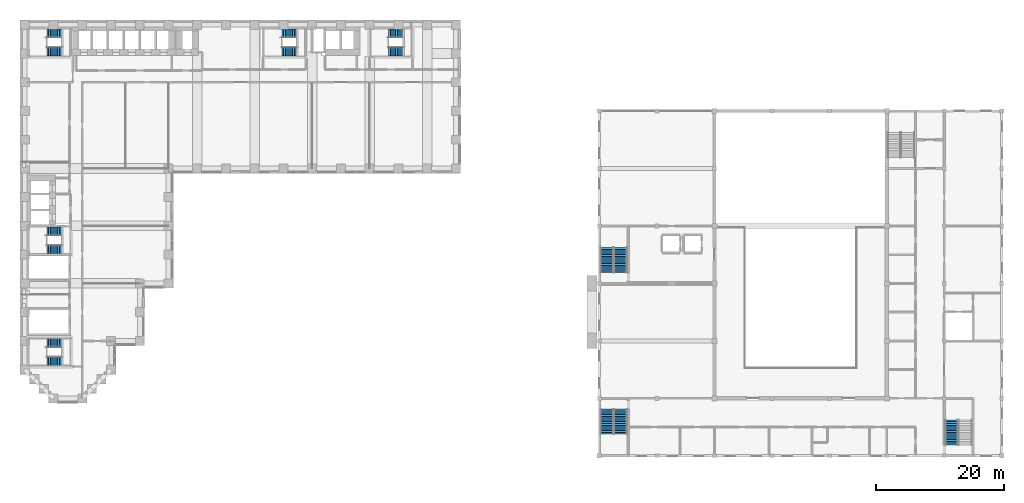
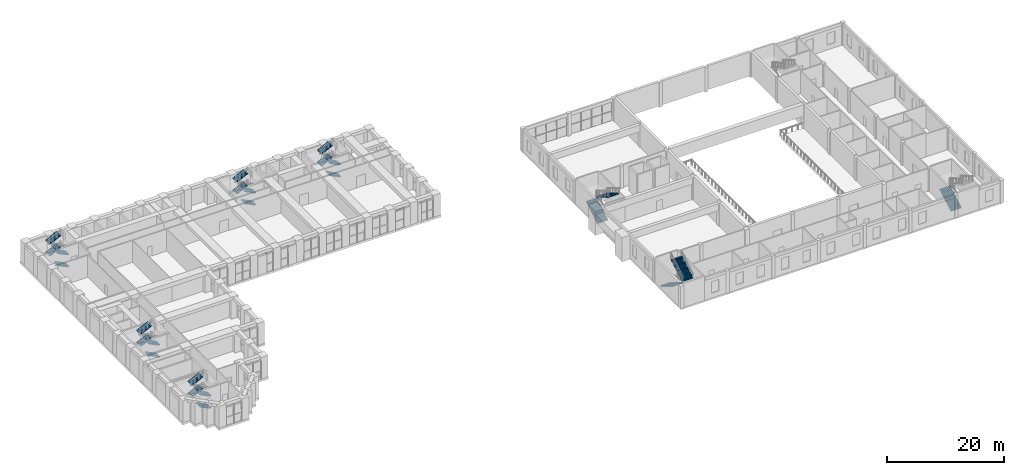
# One storey, part 27 of 34: 25 stair flights, 8 elements without a shape of their own.
"""IFC4 building model written with IfcOpenShell, lengths in metres."""

from ifc_helpers import new_model, si_unit, direction, frame, origin, place, context, subcontext, project, spatial, polyline, outline, extrude, material, layer, layer_set, type_object, element, aggregate, save


model = new_model("IFC4")

# Units and contexts
model_context = context("Model", 3, precision=1e-05, world=origin(), true_north=direction((0.0, 1.0)))
body_context = subcontext(model_context, "Body", "Model", "MODEL_VIEW")
ifc_project = project(units=[si_unit("LENGTHUNIT", "METRE"), si_unit("AREAUNIT", "SQUARE_METRE"), si_unit("VOLUMEUNIT", "CUBIC_METRE"), si_unit("PLANEANGLEUNIT", "RADIAN"), si_unit("MASSUNIT", "GRAM", prefix="KILO")], contexts=[model_context])

# Site, building, storey
site_placement = place(None, origin())
site = spatial("IfcSite", under=ifc_project, at=site_placement, CompositionType="ELEMENT")
building_placement = place(site_placement, origin())
building = spatial("IfcBuilding", under=site, at=building_placement, Name="Firuza Court", CompositionType="ELEMENT")
storey_placement = place(building_placement, frame((0.0, 0.0, 19.0)))
storey = spatial("IfcBuildingStorey", under=building, at=storey_placement, Name="L03", CompositionType="ELEMENT", Elevation=19.0)

# Stair, stair flights
ifc_material_1 = material(Name="Concrete C40/50 precast", Category="concrete")
stair_type_1 = type_object("IfcStairType", Name="Stair 1350 x 5000 4 flights", PredefinedType="QUARTER_TURN_STAIR", material=ifc_material_1)
stair_1_placement = place(storey_placement, origin())
stair_1 = element("IfcStair", 1, at=stair_1_placement, inside=storey, type_object=stair_type_1, Name="Stair 1 L03", PredefinedType="QUARTER_TURN_STAIR")
ifc_material_2 = material(Name="Concrete C40/50 precast", Category="concrete")
stair_flight_type_1 = type_object("IfcStairFlightType", Name="Flight 1350 riser 138.9", PredefinedType="STRAIGHT", material=ifc_material_2)
stair_flight_1_placement = place(storey_placement, frame((42.5, 54.324951171875, 0.0), z_axis=(0.0, 0.0, 1.0), x_axis=(-1.0, 0.0, 0.0)))
stair_flight_1 = element("IfcStairFlight", 2, at=stair_flight_1_placement, type_object=stair_flight_type_1, Name="S1 flight 1", NumberOfRisers=9, NumberOfTreads=8, PredefinedType="STRAIGHT", RiserHeight=0.138888889, TreadLength=0.28, context=body_context, shape_type="SweptSolid", body=[
    extrude(outline(polyline([(0.0, 0.0), (0.0, 0.138916015625), (0.280029296875, 0.138916015625), (0.280029296875, 0.27783203125), (0.56005859375, 0.27783203125), (0.56005859375, 0.416748046875), (0.840087890625, 0.416748046875), (0.840087890625, 0.5556640625), (1.1201171875, 0.5556640625), (1.1201171875, 0.6943359375), (1.39990234375, 0.6943359375), (1.39990234375, 0.833251953125), (1.679931640625, 0.833251953125), (1.679931640625, 0.97216796875), (1.9599609375, 0.97216796875), (1.9599609375, 1.111083984375), (2.239990234375, 1.111083984375), (2.239990234375, 1.25), (2.239990234375, 0.94384765625), (0.33740234375, 0.0), (0.0, 0.0)])), frame((0.0, 0.675048828125, 0.0), z_axis=(0.0, -1.0, 0.0), x_axis=(1.0, 0.0, 0.0)), (0.0, 0.0, 1.0), 1.35009765625),
])
stair_flight_2_placement = place(storey_placement, frame((40.260009765625, 57.175048828125, 1.25), z_axis=(0.0, 0.0, 1.0), x_axis=(1.0, 0.0, 0.0)))
stair_flight_2 = element("IfcStairFlight", 3, at=stair_flight_2_placement, type_object=stair_flight_type_1, Name="S1 flight 2", NumberOfRisers=9, NumberOfTreads=8, PredefinedType="STRAIGHT", RiserHeight=0.138888889, TreadLength=0.28, context=body_context, shape_type="SweptSolid", body=[
    extrude(outline(polyline([(0.0, 0.0), (0.0, 0.138916015625), (0.280029296875, 0.138916015625), (0.280029296875, 0.27783203125), (0.56005859375, 0.27783203125), (0.56005859375, 0.416748046875), (0.840087890625, 0.416748046875), (0.840087890625, 0.5556640625), (1.1201171875, 0.5556640625), (1.1201171875, 0.6943359375), (1.39990234375, 0.6943359375), (1.39990234375, 0.833251953125), (1.679931640625, 0.833251953125), (1.679931640625, 0.97216796875), (1.9599609375, 0.97216796875), (1.9599609375, 1.111083984375), (2.239990234375, 1.111083984375), (2.239990234375, 1.25), (2.239990234375, 0.94384765625), (0.33740234375, 0.0), (0.0, 0.0)])), frame((0.0, 0.675048828125, 0.0), z_axis=(0.0, -1.0, 0.0), x_axis=(1.0, 0.0, 0.0)), (0.0, 0.0, 1.0), 1.35009765625),
])
stair_flight_3_placement = place(storey_placement, frame((42.5, 54.324951171875, 2.5), z_axis=(0.0, 0.0, 1.0), x_axis=(-1.0, 0.0, 0.0)))
stair_flight_3 = element("IfcStairFlight", 4, at=stair_flight_3_placement, type_object=stair_flight_type_1, Name="S1 flight 3", NumberOfRisers=9, NumberOfTreads=8, PredefinedType="STRAIGHT", RiserHeight=0.138888889, TreadLength=0.28, context=body_context, shape_type="SweptSolid", body=[
    extrude(outline(polyline([(0.0, 0.0), (0.0, 0.138916015625), (0.280029296875, 0.138916015625), (0.280029296875, 0.27783203125), (0.56005859375, 0.27783203125), (0.56005859375, 0.416748046875), (0.840087890625, 0.416748046875), (0.840087890625, 0.5556640625), (1.1201171875, 0.5556640625), (1.1201171875, 0.6943359375), (1.39990234375, 0.6943359375), (1.39990234375, 0.833251953125), (1.679931640625, 0.833251953125), (1.679931640625, 0.97216796875), (1.9599609375, 0.97216796875), (1.9599609375, 1.111083984375), (2.239990234375, 1.111083984375), (2.239990234375, 1.25), (2.239990234375, 0.94384765625), (0.33740234375, 0.0), (0.0, 0.0)])), frame((0.0, 0.675048828125, 0.0), z_axis=(0.0, -1.0, 0.0), x_axis=(1.0, 0.0, 0.0)), (0.0, 0.0, 1.0), 1.35009765625),
])
stair_flight_4_placement = place(storey_placement, frame((40.260009765625, 57.175048828125, 3.75), z_axis=(0.0, 0.0, 1.0), x_axis=(1.0, 0.0, 0.0)))
stair_flight_4 = element("IfcStairFlight", 5, at=stair_flight_4_placement, type_object=stair_flight_type_1, Name="S1 flight 4", NumberOfRisers=9, NumberOfTreads=8, PredefinedType="STRAIGHT", RiserHeight=0.138888889, TreadLength=0.28, context=body_context, shape_type="SweptSolid", body=[
    extrude(outline(polyline([(0.0, 0.0), (0.0, 0.138916015625), (0.280029296875, 0.138916015625), (0.280029296875, 0.27783203125), (0.56005859375, 0.27783203125), (0.56005859375, 0.416748046875), (0.840087890625, 0.416748046875), (0.840087890625, 0.5556640625), (1.1201171875, 0.5556640625), (1.1201171875, 0.6943359375), (1.39990234375, 0.6943359375), (1.39990234375, 0.833251953125), (1.679931640625, 0.833251953125), (1.679931640625, 0.97216796875), (1.9599609375, 0.97216796875), (1.9599609375, 1.111083984375), (2.239990234375, 1.111083984375), (2.239990234375, 1.25), (2.239990234375, 0.94384765625), (0.33740234375, 0.0), (0.0, 0.0)])), frame((0.0, 0.675048828125, 0.0), z_axis=(0.0, -1.0, 0.0), x_axis=(1.0, 0.0, 0.0)), (0.0, 0.0, 1.0), 1.35009765625),
])
aggregate(stair_1, [stair_flight_1, stair_flight_2, stair_flight_3, stair_flight_4])

stair_2_placement = place(storey_placement, origin())
stair_2 = element("IfcStair", 6, at=stair_2_placement, inside=storey, type_object=stair_type_1, Name="Stair 2 L03", PredefinedType="QUARTER_TURN_STAIR")
stair_flight_5_placement = place(storey_placement, frame((5.699951171875, 23.324951171875, 0.0), z_axis=(0.0, 0.0, 1.0), x_axis=(-1.0, 0.0, 0.0)))
stair_flight_5 = element("IfcStairFlight", 7, at=stair_flight_5_placement, type_object=stair_flight_type_1, Name="S2 flight 1", NumberOfRisers=9, NumberOfTreads=8, PredefinedType="STRAIGHT", RiserHeight=0.138888889, TreadLength=0.28, context=body_context, shape_type="SweptSolid", body=[
    extrude(outline(polyline([(0.0, 0.0), (0.0, 0.138916015625), (0.280029296875, 0.138916015625), (0.280029296875, 0.27783203125), (0.56005859375, 0.27783203125), (0.56005859375, 0.416748046875), (0.840087890625, 0.416748046875), (0.840087890625, 0.5556640625), (1.1201171875, 0.5556640625), (1.1201171875, 0.6943359375), (1.39990234375, 0.6943359375), (1.39990234375, 0.833251953125), (1.679931640625, 0.833251953125), (1.679931640625, 0.97216796875), (1.9599609375, 0.97216796875), (1.9599609375, 1.111083984375), (2.239990234375, 1.111083984375), (2.239990234375, 1.25), (2.239990234375, 0.94384765625), (0.33740234375, 0.0), (0.0, 0.0)])), frame((0.0, 0.675048828125, 0.0), z_axis=(0.0, -1.0, 0.0), x_axis=(1.0, 0.0, 0.0)), (0.0, 0.0, 1.0), 1.35009765625),
])
stair_flight_6_placement = place(storey_placement, frame((3.4599609375, 26.175048828125, 1.25), z_axis=(0.0, 0.0, 1.0), x_axis=(1.0, 0.0, 0.0)))
stair_flight_6 = element("IfcStairFlight", 8, at=stair_flight_6_placement, type_object=stair_flight_type_1, Name="S2 flight 2", NumberOfRisers=9, NumberOfTreads=8, PredefinedType="STRAIGHT", RiserHeight=0.138888889, TreadLength=0.28, context=body_context, shape_type="SweptSolid", body=[
    extrude(outline(polyline([(0.0, 0.0), (0.0, 0.138916015625), (0.280029296875, 0.138916015625), (0.280029296875, 0.27783203125), (0.56005859375, 0.27783203125), (0.56005859375, 0.416748046875), (0.840087890625, 0.416748046875), (0.840087890625, 0.5556640625), (1.1201171875, 0.5556640625), (1.1201171875, 0.6943359375), (1.39990234375, 0.6943359375), (1.39990234375, 0.833251953125), (1.679931640625, 0.833251953125), (1.679931640625, 0.97216796875), (1.9599609375, 0.97216796875), (1.9599609375, 1.111083984375), (2.239990234375, 1.111083984375), (2.239990234375, 1.25), (2.239990234375, 0.94384765625), (0.33740234375, 0.0), (0.0, 0.0)])), frame((0.0, 0.675048828125, 0.0), z_axis=(0.0, -1.0, 0.0), x_axis=(1.0, 0.0, 0.0)), (0.0, 0.0, 1.0), 1.35009765625),
])
stair_flight_7_placement = place(storey_placement, frame((5.699951171875, 23.324951171875, 2.5), z_axis=(0.0, 0.0, 1.0), x_axis=(-1.0, 0.0, 0.0)))
stair_flight_7 = element("IfcStairFlight", 9, at=stair_flight_7_placement, type_object=stair_flight_type_1, Name="S2 flight 3", NumberOfRisers=9, NumberOfTreads=8, PredefinedType="STRAIGHT", RiserHeight=0.138888889, TreadLength=0.28, context=body_context, shape_type="SweptSolid", body=[
    extrude(outline(polyline([(0.0, 0.0), (0.0, 0.138916015625), (0.280029296875, 0.138916015625), (0.280029296875, 0.27783203125), (0.56005859375, 0.27783203125), (0.56005859375, 0.416748046875), (0.840087890625, 0.416748046875), (0.840087890625, 0.5556640625), (1.1201171875, 0.5556640625), (1.1201171875, 0.6943359375), (1.39990234375, 0.6943359375), (1.39990234375, 0.833251953125), (1.679931640625, 0.833251953125), (1.679931640625, 0.97216796875), (1.9599609375, 0.97216796875), (1.9599609375, 1.111083984375), (2.239990234375, 1.111083984375), (2.239990234375, 1.25), (2.239990234375, 0.94384765625), (0.33740234375, 0.0), (0.0, 0.0)])), frame((0.0, 0.675048828125, 0.0), z_axis=(0.0, -1.0, 0.0), x_axis=(1.0, 0.0, 0.0)), (0.0, 0.0, 1.0), 1.35009765625),
])
stair_flight_8_placement = place(storey_placement, frame((3.4599609375, 26.175048828125, 3.75), z_axis=(0.0, 0.0, 1.0), x_axis=(1.0, 0.0, 0.0)))
stair_flight_8 = element("IfcStairFlight", 10, at=stair_flight_8_placement, type_object=stair_flight_type_1, Name="S2 flight 4", NumberOfRisers=9, NumberOfTreads=8, PredefinedType="STRAIGHT", RiserHeight=0.138888889, TreadLength=0.28, context=body_context, shape_type="SweptSolid", body=[
    extrude(outline(polyline([(0.0, 0.0), (0.0, 0.138916015625), (0.280029296875, 0.138916015625), (0.280029296875, 0.27783203125), (0.56005859375, 0.27783203125), (0.56005859375, 0.416748046875), (0.840087890625, 0.416748046875), (0.840087890625, 0.5556640625), (1.1201171875, 0.5556640625), (1.1201171875, 0.6943359375), (1.39990234375, 0.6943359375), (1.39990234375, 0.833251953125), (1.679931640625, 0.833251953125), (1.679931640625, 0.97216796875), (1.9599609375, 0.97216796875), (1.9599609375, 1.111083984375), (2.239990234375, 1.111083984375), (2.239990234375, 1.25), (2.239990234375, 0.94384765625), (0.33740234375, 0.0), (0.0, 0.0)])), frame((0.0, 0.675048828125, 0.0), z_axis=(0.0, -1.0, 0.0), x_axis=(1.0, 0.0, 0.0)), (0.0, 0.0, 1.0), 1.35009765625),
])
aggregate(stair_2, [stair_flight_5, stair_flight_6, stair_flight_7, stair_flight_8])

stair_3_placement = place(storey_placement, origin())
stair_3 = element("IfcStair", 11, at=stair_3_placement, inside=storey, type_object=stair_type_1, Name="Stair 3 L03", PredefinedType="QUARTER_TURN_STAIR")
stair_flight_9_placement = place(storey_placement, frame((5.699951171875, 54.324951171875, 0.0), z_axis=(0.0, 0.0, 1.0), x_axis=(-1.0, 0.0, 0.0)))
stair_flight_9 = element("IfcStairFlight", 12, at=stair_flight_9_placement, type_object=stair_flight_type_1, Name="S3 flight 1", NumberOfRisers=9, NumberOfTreads=8, PredefinedType="STRAIGHT", RiserHeight=0.138888889, TreadLength=0.28, context=body_context, shape_type="SweptSolid", body=[
    extrude(outline(polyline([(0.0, 0.0), (0.0, 0.138916015625), (0.280029296875, 0.138916015625), (0.280029296875, 0.27783203125), (0.56005859375, 0.27783203125), (0.56005859375, 0.416748046875), (0.840087890625, 0.416748046875), (0.840087890625, 0.5556640625), (1.1201171875, 0.5556640625), (1.1201171875, 0.6943359375), (1.39990234375, 0.6943359375), (1.39990234375, 0.833251953125), (1.679931640625, 0.833251953125), (1.679931640625, 0.97216796875), (1.9599609375, 0.97216796875), (1.9599609375, 1.111083984375), (2.239990234375, 1.111083984375), (2.239990234375, 1.25), (2.239990234375, 0.94384765625), (0.33740234375, 0.0), (0.0, 0.0)])), frame((0.0, 0.675048828125, 0.0), z_axis=(0.0, -1.0, 0.0), x_axis=(1.0, 0.0, 0.0)), (0.0, 0.0, 1.0), 1.35009765625),
])
stair_flight_10_placement = place(storey_placement, frame((3.4599609375, 57.175048828125, 1.25), z_axis=(0.0, 0.0, 1.0), x_axis=(1.0, 0.0, 0.0)))
stair_flight_10 = element("IfcStairFlight", 13, at=stair_flight_10_placement, type_object=stair_flight_type_1, Name="S3 flight 2", NumberOfRisers=9, NumberOfTreads=8, PredefinedType="STRAIGHT", RiserHeight=0.138888889, TreadLength=0.28, context=body_context, shape_type="SweptSolid", body=[
    extrude(outline(polyline([(0.0, 0.0), (0.0, 0.138916015625), (0.280029296875, 0.138916015625), (0.280029296875, 0.27783203125), (0.56005859375, 0.27783203125), (0.56005859375, 0.416748046875), (0.840087890625, 0.416748046875), (0.840087890625, 0.5556640625), (1.1201171875, 0.5556640625), (1.1201171875, 0.6943359375), (1.39990234375, 0.6943359375), (1.39990234375, 0.833251953125), (1.679931640625, 0.833251953125), (1.679931640625, 0.97216796875), (1.9599609375, 0.97216796875), (1.9599609375, 1.111083984375), (2.239990234375, 1.111083984375), (2.239990234375, 1.25), (2.239990234375, 0.94384765625), (0.33740234375, 0.0), (0.0, 0.0)])), frame((0.0, 0.675048828125, 0.0), z_axis=(0.0, -1.0, 0.0), x_axis=(1.0, 0.0, 0.0)), (0.0, 0.0, 1.0), 1.35009765625),
])
stair_flight_11_placement = place(storey_placement, frame((5.699951171875, 54.324951171875, 2.5), z_axis=(0.0, 0.0, 1.0), x_axis=(-1.0, 0.0, 0.0)))
stair_flight_11 = element("IfcStairFlight", 14, at=stair_flight_11_placement, type_object=stair_flight_type_1, Name="S3 flight 3", NumberOfRisers=9, NumberOfTreads=8, PredefinedType="STRAIGHT", RiserHeight=0.138888889, TreadLength=0.28, context=body_context, shape_type="SweptSolid", body=[
    extrude(outline(polyline([(0.0, 0.0), (0.0, 0.138916015625), (0.280029296875, 0.138916015625), (0.280029296875, 0.27783203125), (0.56005859375, 0.27783203125), (0.56005859375, 0.416748046875), (0.840087890625, 0.416748046875), (0.840087890625, 0.5556640625), (1.1201171875, 0.5556640625), (1.1201171875, 0.6943359375), (1.39990234375, 0.6943359375), (1.39990234375, 0.833251953125), (1.679931640625, 0.833251953125), (1.679931640625, 0.97216796875), (1.9599609375, 0.97216796875), (1.9599609375, 1.111083984375), (2.239990234375, 1.111083984375), (2.239990234375, 1.25), (2.239990234375, 0.94384765625), (0.33740234375, 0.0), (0.0, 0.0)])), frame((0.0, 0.675048828125, 0.0), z_axis=(0.0, -1.0, 0.0), x_axis=(1.0, 0.0, 0.0)), (0.0, 0.0, 1.0), 1.35009765625),
])
stair_flight_12_placement = place(storey_placement, frame((3.4599609375, 57.175048828125, 3.75), z_axis=(0.0, 0.0, 1.0), x_axis=(1.0, 0.0, 0.0)))
stair_flight_12 = element("IfcStairFlight", 15, at=stair_flight_12_placement, type_object=stair_flight_type_1, Name="S3 flight 4", NumberOfRisers=9, NumberOfTreads=8, PredefinedType="STRAIGHT", RiserHeight=0.138888889, TreadLength=0.28, context=body_context, shape_type="SweptSolid", body=[
    extrude(outline(polyline([(0.0, 0.0), (0.0, 0.138916015625), (0.280029296875, 0.138916015625), (0.280029296875, 0.27783203125), (0.56005859375, 0.27783203125), (0.56005859375, 0.416748046875), (0.840087890625, 0.416748046875), (0.840087890625, 0.5556640625), (1.1201171875, 0.5556640625), (1.1201171875, 0.6943359375), (1.39990234375, 0.6943359375), (1.39990234375, 0.833251953125), (1.679931640625, 0.833251953125), (1.679931640625, 0.97216796875), (1.9599609375, 0.97216796875), (1.9599609375, 1.111083984375), (2.239990234375, 1.111083984375), (2.239990234375, 1.25), (2.239990234375, 0.94384765625), (0.33740234375, 0.0), (0.0, 0.0)])), frame((0.0, 0.675048828125, 0.0), z_axis=(0.0, -1.0, 0.0), x_axis=(1.0, 0.0, 0.0)), (0.0, 0.0, 1.0), 1.35009765625),
])
aggregate(stair_3, [stair_flight_9, stair_flight_10, stair_flight_11, stair_flight_12])

stair_4_placement = place(storey_placement, origin())
stair_4 = element("IfcStair", 16, at=stair_4_placement, inside=storey, type_object=stair_type_1, Name="Stair 4 L03", PredefinedType="QUARTER_TURN_STAIR")
stair_flight_13_placement = place(storey_placement, frame((59.199951171875, 54.324951171875, 0.0), z_axis=(0.0, 0.0, 1.0), x_axis=(-1.0, 0.0, 0.0)))
stair_flight_13 = element("IfcStairFlight", 17, at=stair_flight_13_placement, type_object=stair_flight_type_1, Name="S4 flight 1", NumberOfRisers=9, NumberOfTreads=8, PredefinedType="STRAIGHT", RiserHeight=0.138888889, TreadLength=0.28, context=body_context, shape_type="SweptSolid", body=[
    extrude(outline(polyline([(0.0, 0.0), (0.0, 0.138916015625), (0.280029296875, 0.138916015625), (0.280029296875, 0.27783203125), (0.56005859375, 0.27783203125), (0.56005859375, 0.416748046875), (0.840087890625, 0.416748046875), (0.840087890625, 0.5556640625), (1.1201171875, 0.5556640625), (1.1201171875, 0.6943359375), (1.39990234375, 0.6943359375), (1.39990234375, 0.833251953125), (1.679931640625, 0.833251953125), (1.679931640625, 0.97216796875), (1.9599609375, 0.97216796875), (1.9599609375, 1.111083984375), (2.239990234375, 1.111083984375), (2.239990234375, 1.25), (2.239990234375, 0.94384765625), (0.33740234375, 0.0), (0.0, 0.0)])), frame((0.0, 0.675048828125, 0.0), z_axis=(0.0, -1.0, 0.0), x_axis=(1.0, 0.0, 0.0)), (0.0, 0.0, 1.0), 1.35009765625),
])
stair_flight_14_placement = place(storey_placement, frame((56.9599609375, 57.175048828125, 1.25), z_axis=(0.0, 0.0, 1.0), x_axis=(1.0, 0.0, 0.0)))
stair_flight_14 = element("IfcStairFlight", 18, at=stair_flight_14_placement, type_object=stair_flight_type_1, Name="S4 flight 2", NumberOfRisers=9, NumberOfTreads=8, PredefinedType="STRAIGHT", RiserHeight=0.138888889, TreadLength=0.28, context=body_context, shape_type="SweptSolid", body=[
    extrude(outline(polyline([(0.0, 0.0), (0.0, 0.138916015625), (0.280029296875, 0.138916015625), (0.280029296875, 0.27783203125), (0.56005859375, 0.27783203125), (0.56005859375, 0.416748046875), (0.840087890625, 0.416748046875), (0.840087890625, 0.5556640625), (1.1201171875, 0.5556640625), (1.1201171875, 0.6943359375), (1.39990234375, 0.6943359375), (1.39990234375, 0.833251953125), (1.679931640625, 0.833251953125), (1.679931640625, 0.97216796875), (1.9599609375, 0.97216796875), (1.9599609375, 1.111083984375), (2.239990234375, 1.111083984375), (2.239990234375, 1.25), (2.239990234375, 0.94384765625), (0.33740234375, 0.0), (0.0, 0.0)])), frame((0.0, 0.675048828125, 0.0), z_axis=(0.0, -1.0, 0.0), x_axis=(1.0, 0.0, 0.0)), (0.0, 0.0, 1.0), 1.35009765625),
])
stair_flight_15_placement = place(storey_placement, frame((59.199951171875, 54.324951171875, 2.5), z_axis=(0.0, 0.0, 1.0), x_axis=(-1.0, 0.0, 0.0)))
stair_flight_15 = element("IfcStairFlight", 19, at=stair_flight_15_placement, type_object=stair_flight_type_1, Name="S4 flight 3", NumberOfRisers=9, NumberOfTreads=8, PredefinedType="STRAIGHT", RiserHeight=0.138888889, TreadLength=0.28, context=body_context, shape_type="SweptSolid", body=[
    extrude(outline(polyline([(0.0, 0.0), (0.0, 0.138916015625), (0.280029296875, 0.138916015625), (0.280029296875, 0.27783203125), (0.56005859375, 0.27783203125), (0.56005859375, 0.416748046875), (0.840087890625, 0.416748046875), (0.840087890625, 0.5556640625), (1.1201171875, 0.5556640625), (1.1201171875, 0.6943359375), (1.39990234375, 0.6943359375), (1.39990234375, 0.833251953125), (1.679931640625, 0.833251953125), (1.679931640625, 0.97216796875), (1.9599609375, 0.97216796875), (1.9599609375, 1.111083984375), (2.239990234375, 1.111083984375), (2.239990234375, 1.25), (2.239990234375, 0.94384765625), (0.33740234375, 0.0), (0.0, 0.0)])), frame((0.0, 0.675048828125, 0.0), z_axis=(0.0, -1.0, 0.0), x_axis=(1.0, 0.0, 0.0)), (0.0, 0.0, 1.0), 1.35009765625),
])
stair_flight_16_placement = place(storey_placement, frame((56.9599609375, 57.175048828125, 3.75), z_axis=(0.0, 0.0, 1.0), x_axis=(1.0, 0.0, 0.0)))
stair_flight_16 = element("IfcStairFlight", 20, at=stair_flight_16_placement, type_object=stair_flight_type_1, Name="S4 flight 4", NumberOfRisers=9, NumberOfTreads=8, PredefinedType="STRAIGHT", RiserHeight=0.138888889, TreadLength=0.28, context=body_context, shape_type="SweptSolid", body=[
    extrude(outline(polyline([(0.0, 0.0), (0.0, 0.138916015625), (0.280029296875, 0.138916015625), (0.280029296875, 0.27783203125), (0.56005859375, 0.27783203125), (0.56005859375, 0.416748046875), (0.840087890625, 0.416748046875), (0.840087890625, 0.5556640625), (1.1201171875, 0.5556640625), (1.1201171875, 0.6943359375), (1.39990234375, 0.6943359375), (1.39990234375, 0.833251953125), (1.679931640625, 0.833251953125), (1.679931640625, 0.97216796875), (1.9599609375, 0.97216796875), (1.9599609375, 1.111083984375), (2.239990234375, 1.111083984375), (2.239990234375, 1.25), (2.239990234375, 0.94384765625), (0.33740234375, 0.0), (0.0, 0.0)])), frame((0.0, 0.675048828125, 0.0), z_axis=(0.0, -1.0, 0.0), x_axis=(1.0, 0.0, 0.0)), (0.0, 0.0, 1.0), 1.35009765625),
])
aggregate(stair_4, [stair_flight_13, stair_flight_14, stair_flight_15, stair_flight_16])

stair_5_placement = place(storey_placement, origin())
stair_5 = element("IfcStair", 21, at=stair_5_placement, inside=storey, type_object=stair_type_1, Name="Stair 5 L03", PredefinedType="QUARTER_TURN_STAIR")
stair_flight_17_placement = place(storey_placement, frame((5.699951171875, 5.824951171875, 0.0), z_axis=(0.0, 0.0, 1.0), x_axis=(-1.0, 0.0, 0.0)))
stair_flight_17 = element("IfcStairFlight", 22, at=stair_flight_17_placement, type_object=stair_flight_type_1, Name="S5 flight 1", NumberOfRisers=9, NumberOfTreads=8, PredefinedType="STRAIGHT", RiserHeight=0.138888889, TreadLength=0.28, context=body_context, shape_type="SweptSolid", body=[
    extrude(outline(polyline([(0.0, 0.0), (0.0, 0.138916015625), (0.280029296875, 0.138916015625), (0.280029296875, 0.27783203125), (0.56005859375, 0.27783203125), (0.56005859375, 0.416748046875), (0.840087890625, 0.416748046875), (0.840087890625, 0.5556640625), (1.1201171875, 0.5556640625), (1.1201171875, 0.6943359375), (1.39990234375, 0.6943359375), (1.39990234375, 0.833251953125), (1.679931640625, 0.833251953125), (1.679931640625, 0.97216796875), (1.9599609375, 0.97216796875), (1.9599609375, 1.111083984375), (2.239990234375, 1.111083984375), (2.239990234375, 1.25), (2.239990234375, 0.94384765625), (0.33740234375, 0.0), (0.0, 0.0)])), frame((0.0, 0.675048828125, 0.0), z_axis=(0.0, -1.0, 0.0), x_axis=(1.0, 0.0, 0.0)), (0.0, 0.0, 1.0), 1.35009765625),
])
stair_flight_18_placement = place(storey_placement, frame((3.4599609375, 8.675048828125, 1.25), z_axis=(0.0, 0.0, 1.0), x_axis=(1.0, 0.0, 0.0)))
stair_flight_18 = element("IfcStairFlight", 23, at=stair_flight_18_placement, type_object=stair_flight_type_1, Name="S5 flight 2", NumberOfRisers=9, NumberOfTreads=8, PredefinedType="STRAIGHT", RiserHeight=0.138888889, TreadLength=0.28, context=body_context, shape_type="SweptSolid", body=[
    extrude(outline(polyline([(0.0, 0.0), (0.0, 0.138916015625), (0.280029296875, 0.138916015625), (0.280029296875, 0.27783203125), (0.56005859375, 0.27783203125), (0.56005859375, 0.416748046875), (0.840087890625, 0.416748046875), (0.840087890625, 0.5556640625), (1.1201171875, 0.5556640625), (1.1201171875, 0.6943359375), (1.39990234375, 0.6943359375), (1.39990234375, 0.833251953125), (1.679931640625, 0.833251953125), (1.679931640625, 0.97216796875), (1.9599609375, 0.97216796875), (1.9599609375, 1.111083984375), (2.239990234375, 1.111083984375), (2.239990234375, 1.25), (2.239990234375, 0.94384765625), (0.33740234375, 0.0), (0.0, 0.0)])), frame((0.0, 0.675048828125, 0.0), z_axis=(0.0, -1.0, 0.0), x_axis=(1.0, 0.0, 0.0)), (0.0, 0.0, 1.0), 1.35009765625),
])
stair_flight_19_placement = place(storey_placement, frame((5.699951171875, 5.824951171875, 2.5), z_axis=(0.0, 0.0, 1.0), x_axis=(-1.0, 0.0, 0.0)))
stair_flight_19 = element("IfcStairFlight", 24, at=stair_flight_19_placement, type_object=stair_flight_type_1, Name="S5 flight 3", NumberOfRisers=9, NumberOfTreads=8, PredefinedType="STRAIGHT", RiserHeight=0.138888889, TreadLength=0.28, context=body_context, shape_type="SweptSolid", body=[
    extrude(outline(polyline([(0.0, 0.0), (0.0, 0.138916015625), (0.280029296875, 0.138916015625), (0.280029296875, 0.27783203125), (0.56005859375, 0.27783203125), (0.56005859375, 0.416748046875), (0.840087890625, 0.416748046875), (0.840087890625, 0.5556640625), (1.1201171875, 0.5556640625), (1.1201171875, 0.6943359375), (1.39990234375, 0.6943359375), (1.39990234375, 0.833251953125), (1.679931640625, 0.833251953125), (1.679931640625, 0.97216796875), (1.9599609375, 0.97216796875), (1.9599609375, 1.111083984375), (2.239990234375, 1.111083984375), (2.239990234375, 1.25), (2.239990234375, 0.94384765625), (0.33740234375, 0.0), (0.0, 0.0)])), frame((0.0, 0.675048828125, 0.0), z_axis=(0.0, -1.0, 0.0), x_axis=(1.0, 0.0, 0.0)), (0.0, 0.0, 1.0), 1.35009765625),
])
stair_flight_20_placement = place(storey_placement, frame((3.4599609375, 8.675048828125, 3.75), z_axis=(0.0, 0.0, 1.0), x_axis=(1.0, 0.0, 0.0)))
stair_flight_20 = element("IfcStairFlight", 25, at=stair_flight_20_placement, type_object=stair_flight_type_1, Name="S5 flight 4", NumberOfRisers=9, NumberOfTreads=8, PredefinedType="STRAIGHT", RiserHeight=0.138888889, TreadLength=0.28, context=body_context, shape_type="SweptSolid", body=[
    extrude(outline(polyline([(0.0, 0.0), (0.0, 0.138916015625), (0.280029296875, 0.138916015625), (0.280029296875, 0.27783203125), (0.56005859375, 0.27783203125), (0.56005859375, 0.416748046875), (0.840087890625, 0.416748046875), (0.840087890625, 0.5556640625), (1.1201171875, 0.5556640625), (1.1201171875, 0.6943359375), (1.39990234375, 0.6943359375), (1.39990234375, 0.833251953125), (1.679931640625, 0.833251953125), (1.679931640625, 0.97216796875), (1.9599609375, 0.97216796875), (1.9599609375, 1.111083984375), (2.239990234375, 1.111083984375), (2.239990234375, 1.25), (2.239990234375, 0.94384765625), (0.33740234375, 0.0), (0.0, 0.0)])), frame((0.0, 0.675048828125, 0.0), z_axis=(0.0, -1.0, 0.0), x_axis=(1.0, 0.0, 0.0)), (0.0, 0.0, 1.0), 1.35009765625),
])
aggregate(stair_5, [stair_flight_17, stair_flight_18, stair_flight_19, stair_flight_20])

ifc_material_3 = material(Name="Concrete C40/50", Category="concrete")
stair_type_2 = type_object("IfcStairType", Name="HALL STAIR", PredefinedType="NOTDEFINED", material=ifc_material_3)
stair_6_placement = place(storey_placement, origin())
stair_6 = element("IfcStair", 26, at=stair_6_placement, inside=storey, type_object=stair_type_2, Name="Stair H1 L03", PredefinedType="NOTDEFINED")
ifc_material_4 = material(Name="Concrete C40/50", Category="concrete")
ifc_layer = layer(ifc_material_4, 0.14990234375)
ifc_layer_set = layer_set([ifc_layer], Name="Concrete C40/50")
stair_flight_type_2 = type_object("IfcStairFlightType", Name="HALL STAIR FLIGHT", PredefinedType="STRAIGHT", material=ifc_layer_set)
stair_flight_21_placement = place(storey_placement, frame((91.16259765625, -1.699951171875, 0.0), z_axis=(0.0, 0.0, 1.0), x_axis=(0.0, -1.0, 0.0)))
stair_flight_21 = element("IfcStairFlight", 27, at=stair_flight_21_placement, type_object=stair_flight_type_2, Name="HS-1 flight 1", NumberOfRisers=15, NumberOfTreads=14, PredefinedType="STRAIGHT", RiserHeight=0.166666667, TreadLength=0.28, context=body_context, shape_type="SweptSolid", body=[
    extrude(outline(polyline([(0.0, 0.0), (0.0, 0.166748046875), (0.280029296875, 0.166748046875), (0.280029296875, 0.333251953125), (0.56005859375, 0.333251953125), (0.56005859375, 0.5), (0.840087890625, 0.5), (0.840087890625, 0.666748046875), (1.1201171875, 0.666748046875), (1.1201171875, 0.833251953125), (1.39990234375, 0.833251953125), (1.39990234375, 1.0), (1.679931640625, 1.0), (1.679931640625, 1.166748046875), (1.9599609375, 1.166748046875), (1.9599609375, 1.333251953125), (2.239990234375, 1.333251953125), (2.239990234375, 1.5), (2.52001953125, 1.5), (2.52001953125, 1.666748046875), (2.800048828125, 1.666748046875), (2.800048828125, 1.833251953125), (3.080078125, 1.833251953125), (3.080078125, 2.0), (3.360107421875, 2.0), (3.360107421875, 2.166748046875), (3.639892578125, 2.166748046875), (3.639892578125, 2.333251953125), (3.919921875, 2.333251953125), (3.919921875, 2.5), (3.919921875, 2.158935546875), (0.29296875, 0.0), (0.0, 0.0)])), frame((0.0, 1.03759765625, 0.0), z_axis=(0.0, -1.0, 0.0), x_axis=(1.0, 0.0, 0.0)), (0.0, 0.0, 1.0), 2.074951171875),
])
stair_flight_22_placement = place(storey_placement, frame((93.28759765625, -5.6201171875, 2.5), z_axis=(0.0, 0.0, 1.0), x_axis=(0.0, 1.0, 0.0)))
stair_flight_22 = element("IfcStairFlight", 28, at=stair_flight_22_placement, type_object=stair_flight_type_2, Name="HS-1 flight 2", NumberOfRisers=15, NumberOfTreads=14, PredefinedType="STRAIGHT", RiserHeight=0.166666667, TreadLength=0.28, context=body_context, shape_type="SweptSolid", body=[
    extrude(outline(polyline([(0.0, 0.0), (0.0, 0.166748046875), (0.280029296875, 0.166748046875), (0.280029296875, 0.333251953125), (0.56005859375, 0.333251953125), (0.56005859375, 0.5), (0.840087890625, 0.5), (0.840087890625, 0.666748046875), (1.1201171875, 0.666748046875), (1.1201171875, 0.833251953125), (1.39990234375, 0.833251953125), (1.39990234375, 1.0), (1.679931640625, 1.0), (1.679931640625, 1.166748046875), (1.9599609375, 1.166748046875), (1.9599609375, 1.333251953125), (2.239990234375, 1.333251953125), (2.239990234375, 1.5), (2.52001953125, 1.5), (2.52001953125, 1.666748046875), (2.800048828125, 1.666748046875), (2.800048828125, 1.833251953125), (3.080078125, 1.833251953125), (3.080078125, 2.0), (3.360107421875, 2.0), (3.360107421875, 2.166748046875), (3.639892578125, 2.166748046875), (3.639892578125, 2.333251953125), (3.919921875, 2.333251953125), (3.919921875, 2.5), (3.919921875, 2.158935546875), (0.29296875, 0.0), (0.0, 0.0)])), frame((0.0, 1.08740234375, 0.0), z_axis=(0.0, -1.0, 0.0), x_axis=(1.0, 0.0, 0.0)), (0.0, 0.0, 1.0), 2.175048828125),
])
aggregate(stair_6, [stair_flight_21, stair_flight_22])

# Stair, stair flight
stair_7_placement = place(storey_placement, origin())
stair_7 = element("IfcStair", 29, at=stair_7_placement, inside=storey, type_object=stair_type_2, Name="Stair H2 L03", PredefinedType="NOTDEFINED")
stair_flight_23_placement = place(storey_placement, frame((145.16259765625, -7.300048828125, 0.0), z_axis=(0.0, 0.0, 1.0), x_axis=(0.0, 1.0, 0.0)))
stair_flight_23 = element("IfcStairFlight", 30, at=stair_flight_23_placement, type_object=stair_flight_type_2, Name="HS-2 flight 1", NumberOfRisers=15, NumberOfTreads=14, PredefinedType="STRAIGHT", RiserHeight=0.166666667, TreadLength=0.28, context=body_context, shape_type="SweptSolid", body=[
    extrude(outline(polyline([(0.0, 0.0), (0.0, 0.166748046875), (0.280029296875, 0.166748046875), (0.280029296875, 0.333251953125), (0.56005859375, 0.333251953125), (0.56005859375, 0.5), (0.840087890625, 0.5), (0.840087890625, 0.666748046875), (1.1201171875, 0.666748046875), (1.1201171875, 0.833251953125), (1.39990234375, 0.833251953125), (1.39990234375, 1.0), (1.679931640625, 1.0), (1.679931640625, 1.166748046875), (1.9599609375, 1.166748046875), (1.9599609375, 1.333251953125), (2.239990234375, 1.333251953125), (2.239990234375, 1.5), (2.52001953125, 1.5), (2.52001953125, 1.666748046875), (2.800048828125, 1.666748046875), (2.800048828125, 1.833251953125), (3.080078125, 1.833251953125), (3.080078125, 2.0), (3.360107421875, 2.0), (3.360107421875, 2.166748046875), (3.639892578125, 2.166748046875), (3.639892578125, 2.333251953125), (3.919921875, 2.333251953125), (3.919921875, 2.5), (3.919921875, 2.158935546875), (0.29296875, 0.0), (0.0, 0.0)])), frame((0.0, 1.03759765625, 0.0), z_axis=(0.0, -1.0, 0.0), x_axis=(1.0, 0.0, 0.0)), (0.0, 0.0, 1.0), 2.074951171875),
])
aggregate(stair_7, [stair_flight_23])

# Stair, stair flights
stair_8_placement = place(storey_placement, origin())
stair_8 = element("IfcStair", 31, at=stair_8_placement, inside=storey, type_object=stair_type_2, Name="Stair H3 L03", PredefinedType="NOTDEFINED")
stair_flight_24_placement = place(storey_placement, frame((91.16259765625, 19.699951171875, 0.0), z_axis=(0.0, 0.0, 1.0), x_axis=(0.0, 1.0, 0.0)))
stair_flight_24 = element("IfcStairFlight", 32, at=stair_flight_24_placement, type_object=stair_flight_type_2, Name="HS-3 flight 1", NumberOfRisers=15, NumberOfTreads=14, PredefinedType="STRAIGHT", RiserHeight=0.166666667, TreadLength=0.28, context=body_context, shape_type="SweptSolid", body=[
    extrude(outline(polyline([(0.0, 0.0), (0.0, 0.166748046875), (0.280029296875, 0.166748046875), (0.280029296875, 0.333251953125), (0.56005859375, 0.333251953125), (0.56005859375, 0.5), (0.840087890625, 0.5), (0.840087890625, 0.666748046875), (1.1201171875, 0.666748046875), (1.1201171875, 0.833251953125), (1.39990234375, 0.833251953125), (1.39990234375, 1.0), (1.679931640625, 1.0), (1.679931640625, 1.166748046875), (1.9599609375, 1.166748046875), (1.9599609375, 1.333251953125), (2.239990234375, 1.333251953125), (2.239990234375, 1.5), (2.52001953125, 1.5), (2.52001953125, 1.666748046875), (2.800048828125, 1.666748046875), (2.800048828125, 1.833251953125), (3.080078125, 1.833251953125), (3.080078125, 2.0), (3.360107421875, 2.0), (3.360107421875, 2.166748046875), (3.639892578125, 2.166748046875), (3.639892578125, 2.333251953125), (3.919921875, 2.333251953125), (3.919921875, 2.5), (3.919921875, 2.158935546875), (0.29296875, 0.0), (0.0, 0.0)])), frame((0.0, 1.03759765625, 0.0), z_axis=(0.0, -1.0, 0.0), x_axis=(1.0, 0.0, 0.0)), (0.0, 0.0, 1.0), 2.074951171875),
])
stair_flight_25_placement = place(storey_placement, frame((93.28759765625, 23.6201171875, 2.5), z_axis=(0.0, 0.0, 1.0), x_axis=(0.0, -1.0, 0.0)))
stair_flight_25 = element("IfcStairFlight", 33, at=stair_flight_25_placement, type_object=stair_flight_type_2, Name="HS-3 flight 2", NumberOfRisers=15, NumberOfTreads=14, PredefinedType="STRAIGHT", RiserHeight=0.166666667, TreadLength=0.28, context=body_context, shape_type="SweptSolid", body=[
    extrude(outline(polyline([(0.0, 0.0), (0.0, 0.166748046875), (0.280029296875, 0.166748046875), (0.280029296875, 0.333251953125), (0.56005859375, 0.333251953125), (0.56005859375, 0.5), (0.840087890625, 0.5), (0.840087890625, 0.666748046875), (1.1201171875, 0.666748046875), (1.1201171875, 0.833251953125), (1.39990234375, 0.833251953125), (1.39990234375, 1.0), (1.679931640625, 1.0), (1.679931640625, 1.166748046875), (1.9599609375, 1.166748046875), (1.9599609375, 1.333251953125), (2.239990234375, 1.333251953125), (2.239990234375, 1.5), (2.52001953125, 1.5), (2.52001953125, 1.666748046875), (2.800048828125, 1.666748046875), (2.800048828125, 1.833251953125), (3.080078125, 1.833251953125), (3.080078125, 2.0), (3.360107421875, 2.0), (3.360107421875, 2.166748046875), (3.639892578125, 2.166748046875), (3.639892578125, 2.333251953125), (3.919921875, 2.333251953125), (3.919921875, 2.5), (3.919921875, 2.158935546875), (0.29296875, 0.0), (0.0, 0.0)])), frame((0.0, 1.08740234375, 0.0), z_axis=(0.0, -1.0, 0.0), x_axis=(1.0, 0.0, 0.0)), (0.0, 0.0, 1.0), 2.175048828125),
])
aggregate(stair_8, [stair_flight_24, stair_flight_25])

save(model, "model.ifc")
